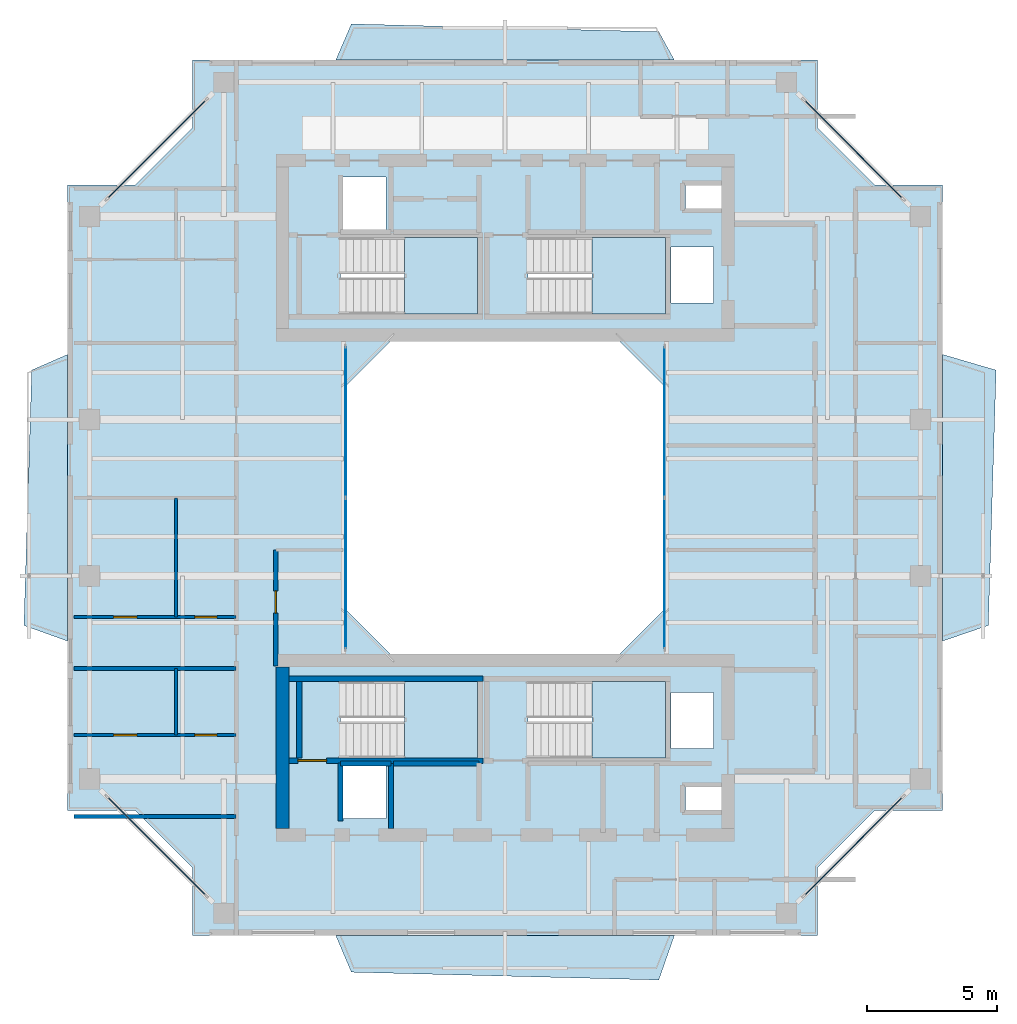
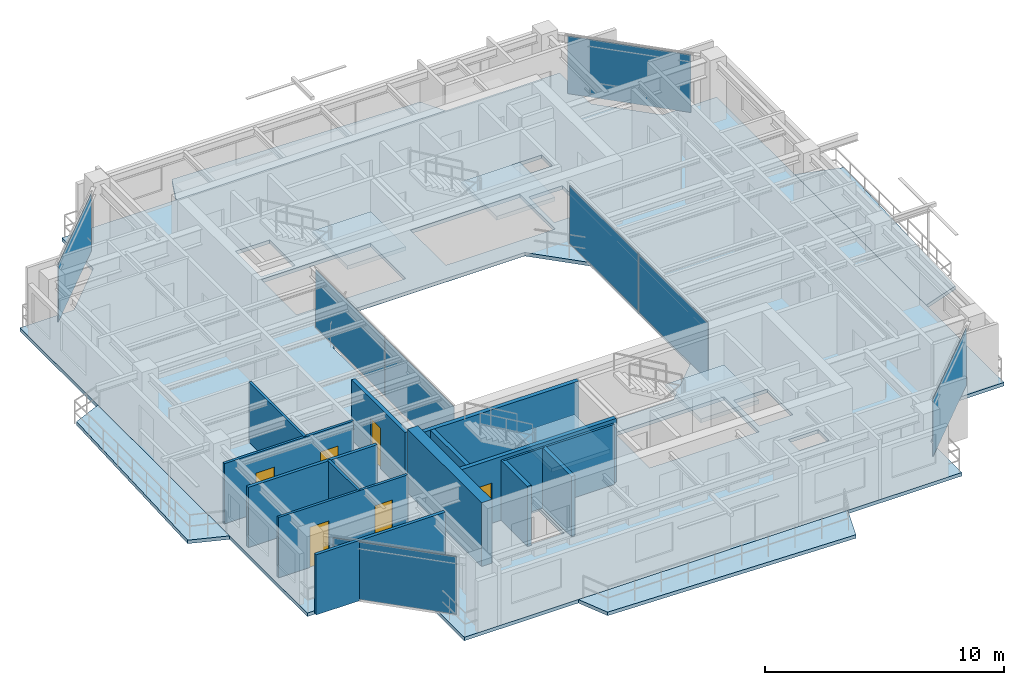
# One storey, part 9 of 16: 15 walls, 9 slabs, 8 plates, 6 doors, 6 openings, 10 elements without a shape of their own.
"""IFC4 building model written with IfcOpenShell, lengths in metres."""

from ifc_helpers import new_model, si_unit, direction, frame, frame_2d, origin, origin_2d, place, context, subcontext, project, spatial, polyline, rectangle, outline, extrude, source, transform, mapped, material, layer, layer_set, type_object, element, fill, aggregate, save


model = new_model("IFC4")

# Units and contexts
model_context = context("Model", 3, precision=1e-05, world=origin(), true_north=direction((0.0, 1.0)))
body_context = subcontext(model_context, "Body", "Model", "MODEL_VIEW")
ifc_project = project(units=[si_unit("LENGTHUNIT", "METRE"), si_unit("AREAUNIT", "SQUARE_METRE"), si_unit("VOLUMEUNIT", "CUBIC_METRE"), si_unit("PLANEANGLEUNIT", "RADIAN"), si_unit("MASSUNIT", "GRAM", prefix="KILO"), si_unit("THERMODYNAMICTEMPERATUREUNIT", "KELVIN"), si_unit("POWERUNIT", "WATT")], contexts=[model_context])

# Site, building, storey
site_placement = place(None, origin())
site = spatial("IfcSite", under=ifc_project, at=site_placement, CompositionType="ELEMENT")
building_placement = place(site_placement, origin())
building = spatial("IfcBuilding", under=site, at=building_placement, Name="Qiaomeng Ring Towers", CompositionType="ELEMENT")
storey_placement = place(building_placement, frame((0.0, 0.0, 210.0)))
storey = spatial("IfcBuildingStorey", under=building, at=storey_placement, Name="L61", CompositionType="ELEMENT", Elevation=210.0)

# Slabs
ifc_material_1 = material(Name="Concrete C40", Category="concrete")
ifc_layer_1 = layer(ifc_material_1, 0.179931640625, Name="Concrete C40")
ifc_layer_set_1 = layer_set([ifc_layer_1], Name="Concrete C40")
slab_type_1 = type_object("IfcSlabType", Name="STR-SL-180", PredefinedType="FLOOR", material=ifc_layer_set_1)
slab_1_placement = place(storey_placement, frame((0.0, 0.0, -0.179931640625)))
element("IfcSlab", 1, at=slab_1_placement, inside=storey, type_object=slab_type_1, Name="L61 Tower 1 Annular Floor Slab", PredefinedType="FLOOR", context=body_context, shape_type="SweptSolid", body=[
    extrude(outline(polyline([(7.0, 6.199951171875), (31.0, 6.199951171875), (31.0, 8.800048828125), (33.199951171875, 11.0), (35.800048828125, 11.0), (35.800048828125, 35.0), (33.199951171875, 35.0), (31.0, 37.199951171875), (31.0, 39.800048828125), (7.0, 39.800048828125), (7.0, 37.199951171875), (4.800048828125, 35.0), (2.199951171875, 35.0), (2.199951171875, 11.0), (4.800048828125, 11.0), (7.0, 8.800048828125), (7.0, 6.199951171875)]), holes=[polyline([(12.780029296875, 10.679931640625), (12.780029296875, 12.820068359375), (14.419921875, 12.820068359375), (14.419921875, 10.679931640625), (12.780029296875, 10.679931640625)]), polyline([(12.679931640625, 13.010009765625), (12.679931640625, 15.949951171875), (17.949951171875, 15.949951171875), (17.949951171875, 13.010009765625), (12.679931640625, 13.010009765625)]), polyline([(23.199951171875, 29.199951171875), (25.199951171875, 27.199951171875), (25.199951171875, 18.800048828125), (23.199951171875, 16.800048828125), (14.800048828125, 16.800048828125), (12.800048828125, 18.800048828125), (12.800048828125, 27.199951171875), (14.800048828125, 29.199951171875), (23.199951171875, 29.199951171875)]), polyline([(12.679931640625, 32.989990234375), (17.949951171875, 32.989990234375), (17.949951171875, 30.050048828125), (12.679931640625, 30.050048828125), (12.679931640625, 32.989990234375)]), polyline([(19.8798828125, 32.989990234375), (25.14990234375, 32.989990234375), (25.14990234375, 30.050048828125), (19.8798828125, 30.050048828125), (19.8798828125, 32.989990234375)]), polyline([(12.780029296875, 33.179931640625), (12.780029296875, 35.320068359375), (14.419921875, 35.320068359375), (14.419921875, 33.179931640625), (12.780029296875, 33.179931640625)]), polyline([(25.919921875, 11.89990234375), (27.360107421875, 11.89990234375), (27.360107421875, 11.0), (25.919921875, 11.0), (25.919921875, 11.89990234375)]), polyline([(25.360107421875, 15.52001953125), (27.0, 15.52001953125), (27.0, 13.3798828125), (25.360107421875, 13.3798828125), (25.360107421875, 15.52001953125)]), polyline([(19.8798828125, 13.010009765625), (19.8798828125, 15.949951171875), (25.14990234375, 15.949951171875), (25.14990234375, 13.010009765625), (19.8798828125, 13.010009765625)]), polyline([(25.360107421875, 32.6201171875), (27.0, 32.6201171875), (27.0, 30.47998046875), (25.360107421875, 30.47998046875), (25.360107421875, 32.6201171875)]), polyline([(25.919921875, 35.0), (27.360107421875, 35.0), (27.360107421875, 34.10009765625), (25.919921875, 34.10009765625), (25.919921875, 35.0)])]), origin(), (0.0, 0.0, 1.0), 0.179931640625),
])
ifc_layer_2 = layer(ifc_material_1, 0.179931640625, Name="Concrete C40")
ifc_layer_set_2 = layer_set([ifc_layer_2], Name="Concrete C40")
slab_type_2 = type_object("IfcSlabType", Name="STR-SL-BAL", PredefinedType="FLOOR", material=ifc_layer_set_2)
slab_2_placement = place(storey_placement, frame((0.0, 0.0, -0.179931640625)))
element("IfcSlab", 2, at=slab_2_placement, inside=storey, type_object=slab_type_2, Name="L61 Tower 1 S Faceted Balcony Slab", PredefinedType="FLOOR", context=body_context, shape_type="SweptSolid", body=[
    extrude(outline(polyline([(25.5, 6.199951171875), (24.89990234375, 4.489990234375), (13.10009765625, 4.7900390625), (12.5, 6.199951171875), (25.5, 6.199951171875)])), origin(), (0.0, 0.0, 1.0), 0.179931640625),
])
slab_3_placement = place(storey_placement, frame((0.0, 0.0, -0.179931640625)))
element("IfcSlab", 3, at=slab_3_placement, inside=storey, type_object=slab_type_2, Name="L61 Tower 1 E Faceted Balcony Slab", PredefinedType="FLOOR", context=body_context, shape_type="SweptSolid", body=[
    extrude(outline(polyline([(37.85009765625, 27.89990234375), (37.550048828125, 18.10009765625), (35.800048828125, 17.5), (35.800048828125, 28.5), (37.85009765625, 27.89990234375)])), origin(), (0.0, 0.0, 1.0), 0.179931640625),
])
slab_4_placement = place(storey_placement, frame((0.0, 0.0, -0.179931640625)))
element("IfcSlab", 4, at=slab_4_placement, inside=storey, type_object=slab_type_2, Name="L61 Tower 1 N Faceted Balcony Slab", PredefinedType="FLOOR", context=body_context, shape_type="SweptSolid", body=[
    extrude(outline(polyline([(12.5, 39.800048828125), (13.10009765625, 41.18994140625), (24.89990234375, 40.889892578125), (25.5, 39.800048828125), (12.5, 39.800048828125)])), origin(), (0.0, 0.0, 1.0), 0.179931640625),
])
slab_5_placement = place(storey_placement, frame((0.0, 0.0, -0.179931640625)))
element("IfcSlab", 5, at=slab_5_placement, inside=storey, type_object=slab_type_2, Name="L61 Tower 1 W Faceted Balcony Slab", PredefinedType="FLOOR", context=body_context, shape_type="SweptSolid", body=[
    extrude(outline(polyline([(0.530029296875, 18.10009765625), (0.830078125, 27.89990234375), (2.199951171875, 28.5), (2.199951171875, 17.5), (0.530029296875, 18.10009765625)])), origin(), (0.0, 0.0, 1.0), 0.179931640625),
])

# Stair, slab
ifc_material_2 = material(Name="Precast concrete C40", Category="concrete")
stair_type = type_object("IfcStairType", Name="ARC-ST-325", PredefinedType="HALF_TURN_STAIR", material=ifc_material_2)
stair_1_placement = place(storey_placement, origin())
stair_1 = element("IfcStair", 6, at=stair_1_placement, inside=storey, type_object=stair_type, Name="L61 Tower 1 North Stair 1", PredefinedType="HALF_TURN_STAIR")
ifc_layer_3 = layer(ifc_material_1, 0.199951171875, Name="Concrete C40")
ifc_layer_set_3 = layer_set([ifc_layer_3], Name="Concrete C40")
slab_type_3 = type_object("IfcSlabType", Name="STR-SL-LANDING", PredefinedType="LANDING", material=ifc_layer_set_3)
slab_6_placement = place(storey_placement, frame((0.0, 0.0, 1.425048828125)))
slab_6 = element("IfcSlab", 7, at=slab_6_placement, type_object=slab_type_3, Name="ST1 landing 1", PredefinedType="LANDING", context=body_context, shape_type="SweptSolid", body=[
    extrude(outline(polyline([(15.139892578125, 30.050048828125), (17.949951171875, 30.050048828125), (17.949951171875, 32.989990234375), (15.139892578125, 32.989990234375), (15.139892578125, 30.050048828125)])), origin(), (0.0, 0.0, 1.0), 0.199951171875),
])
aggregate(stair_1, [slab_6])

stair_2_placement = place(storey_placement, origin())
stair_2 = element("IfcStair", 8, at=stair_2_placement, inside=storey, type_object=stair_type, Name="L61 Tower 1 North Stair 2", PredefinedType="HALF_TURN_STAIR")
slab_7_placement = place(storey_placement, frame((0.0, 0.0, 1.425048828125)))
slab_7 = element("IfcSlab", 9, at=slab_7_placement, type_object=slab_type_3, Name="ST2 landing 1", PredefinedType="LANDING", context=body_context, shape_type="SweptSolid", body=[
    extrude(outline(polyline([(22.340087890625, 30.050048828125), (25.14990234375, 30.050048828125), (25.14990234375, 32.989990234375), (22.340087890625, 32.989990234375), (22.340087890625, 30.050048828125)])), origin(), (0.0, 0.0, 1.0), 0.199951171875),
])
aggregate(stair_2, [slab_7])

stair_3_placement = place(storey_placement, origin())
stair_3 = element("IfcStair", 10, at=stair_3_placement, inside=storey, type_object=stair_type, Name="L61 Tower 1 South Stair 3", PredefinedType="HALF_TURN_STAIR")
slab_8_placement = place(storey_placement, frame((0.0, 0.0, 1.425048828125)))
slab_8 = element("IfcSlab", 11, at=slab_8_placement, type_object=slab_type_3, Name="ST3 landing 1", PredefinedType="LANDING", context=body_context, shape_type="SweptSolid", body=[
    extrude(outline(polyline([(15.139892578125, 13.010009765625), (17.949951171875, 13.010009765625), (17.949951171875, 15.949951171875), (15.139892578125, 15.949951171875), (15.139892578125, 13.010009765625)])), origin(), (0.0, 0.0, 1.0), 0.199951171875),
])
aggregate(stair_3, [slab_8])

stair_4_placement = place(storey_placement, origin())
stair_4 = element("IfcStair", 12, at=stair_4_placement, inside=storey, type_object=stair_type, Name="L61 Tower 1 South Stair 4", PredefinedType="HALF_TURN_STAIR")
slab_9_placement = place(storey_placement, frame((0.0, 0.0, 1.425048828125)))
slab_9 = element("IfcSlab", 13, at=slab_9_placement, type_object=slab_type_3, Name="ST4 landing 1", PredefinedType="LANDING", context=body_context, shape_type="SweptSolid", body=[
    extrude(outline(polyline([(22.340087890625, 13.010009765625), (25.14990234375, 13.010009765625), (25.14990234375, 15.949951171875), (22.340087890625, 15.949951171875), (22.340087890625, 13.010009765625)])), origin(), (0.0, 0.0, 1.0), 0.199951171875),
])
aggregate(stair_4, [slab_9])

# Curtain wall, plates
ifc_material_3 = material(Name="Fluorocarbon dark-grey aluminium", Category="aluminium")
ifc_layer_4 = layer(ifc_material_3, 0.139892578125, Name="Fluorocarbon dark-grey aluminium")
ifc_layer_set_4 = layer_set([ifc_layer_4], Name="Fluorocarbon dark-grey aluminium")
curtain_wall_type_1 = type_object("IfcCurtainWallType", Name="ARC-CW-4", PredefinedType="NOTDEFINED", material=ifc_layer_set_4)
curtain_wall_1_placement = place(storey_placement, origin())
curtain_wall_1 = element("IfcCurtainWall", 14, at=curtain_wall_1_placement, inside=storey, type_object=curtain_wall_type_1, Name="L61 Curtain Wall CW4", PredefinedType="NOTDEFINED")
ifc_material_4 = material(Name="Low-E dark-grey laminated double glazing", Category="glass")
ifc_layer_5 = layer(ifc_material_4, 0.028076171875, Name="Low-E dark-grey laminated double glazing")
ifc_layer_set_5 = layer_set([ifc_layer_5], Name="Low-E dark-grey laminated double glazing")
plate_type = type_object("IfcPlateType", Name="ARC-CWP-DARK", PredefinedType="CURTAIN_PANEL", material=ifc_layer_set_5)
shared_shape_1 = source(origin(), body_context, "Body", "SweptSolid", [
    extrude(rectangle(XDim=5.75244140625, YDim=0.028076171875, at=origin_2d()), origin(), (0.0, 0.0, 1.0), 2.93994140625),
])
plate_1_placement = place(storey_placement, frame((12.8798828125, 20.09130859375, 0.06494140625), z_axis=(0.0, 0.0, 1.0), x_axis=(0.0, 1.0, 0.0)))
plate_1 = element("IfcPlate", 15, at=plate_1_placement, type_object=plate_type, Name="CW4 panel 1.1", PredefinedType="CURTAIN_PANEL", context=body_context, shape_type="MappedRepresentation", body=[
    mapped(shared_shape_1, transform((0.0, 0.0, 0.0), x_axis=(1.0, 0.0, 0.0), y_axis=(0.0, 1.0, 0.0), z_axis=(0.0, 0.0, 1.0), scale=1.0)),
])
plate_2_placement = place(storey_placement, frame((12.8798828125, 25.90869140625, 0.06494140625), z_axis=(0.0, 0.0, 1.0), x_axis=(0.0, 1.0, 0.0)))
plate_2 = element("IfcPlate", 16, at=plate_2_placement, type_object=plate_type, Name="CW4 panel 2.1", PredefinedType="CURTAIN_PANEL", context=body_context, shape_type="MappedRepresentation", body=[
    mapped(shared_shape_1, transform((0.0, 0.0, 0.0), x_axis=(1.0, 0.0, 0.0), y_axis=(0.0, 1.0, 0.0), z_axis=(0.0, 0.0, 1.0), scale=1.0)),
])
aggregate(curtain_wall_1, [plate_1, plate_2])

curtain_wall_2_placement = place(storey_placement, origin())
curtain_wall_2 = element("IfcCurtainWall", 17, at=curtain_wall_2_placement, inside=storey, type_object=curtain_wall_type_1, Name="L61 Curtain Wall CW4", PredefinedType="NOTDEFINED")
plate_3_placement = place(storey_placement, frame((25.1201171875, 20.09130859375, 0.06494140625), z_axis=(0.0, 0.0, 1.0), x_axis=(0.0, 1.0, 0.0)))
plate_3 = element("IfcPlate", 18, at=plate_3_placement, type_object=plate_type, Name="CW4 panel 1.1", PredefinedType="CURTAIN_PANEL", context=body_context, shape_type="MappedRepresentation", body=[
    mapped(shared_shape_1, transform((0.0, 0.0, 0.0), x_axis=(1.0, 0.0, 0.0), y_axis=(0.0, 1.0, 0.0), z_axis=(0.0, 0.0, 1.0), scale=1.0)),
])
plate_4_placement = place(storey_placement, frame((25.1201171875, 25.90869140625, 0.06494140625), z_axis=(0.0, 0.0, 1.0), x_axis=(0.0, 1.0, 0.0)))
plate_4 = element("IfcPlate", 19, at=plate_4_placement, type_object=plate_type, Name="CW4 panel 2.1", PredefinedType="CURTAIN_PANEL", context=body_context, shape_type="MappedRepresentation", body=[
    mapped(shared_shape_1, transform((0.0, 0.0, 0.0), x_axis=(1.0, 0.0, 0.0), y_axis=(0.0, 1.0, 0.0), z_axis=(0.0, 0.0, 1.0), scale=1.0)),
])
aggregate(curtain_wall_2, [plate_3, plate_4])

# Curtain wall, plate
ifc_layer_6 = layer(ifc_material_3, 0.14990234375, Name="Fluorocarbon dark-grey aluminium")
ifc_layer_set_6 = layer_set([ifc_layer_6], Name="Fluorocarbon dark-grey aluminium")
curtain_wall_type_2 = type_object("IfcCurtainWallType", Name="ARC-CW-3", PredefinedType="NOTDEFINED", material=ifc_layer_set_6)
curtain_wall_3_placement = place(storey_placement, origin())
curtain_wall_3 = element("IfcCurtainWall", 20, at=curtain_wall_3_placement, inside=storey, type_object=curtain_wall_type_2, Name="L61 Curtain Wall CW3", PredefinedType="NOTDEFINED")
shared_shape_2 = source(origin(), body_context, "Body", "SweptSolid", [
    extrude(rectangle(XDim=5.3330078125, YDim=0.028076171875, at=origin_2d()), origin(), (0.0, 0.0, 1.0), 2.93994140625),
])
plate_5_placement = place(storey_placement, frame((32.375, 9.625, 0.06494140625), z_axis=(0.0, 0.0, 1.0), x_axis=(0.707106781187, 0.707106781187, 0.0)))
plate_5 = element("IfcPlate", 21, at=plate_5_placement, type_object=plate_type, Name="CW3 panel 1.1", PredefinedType="CURTAIN_PANEL", context=body_context, shape_type="MappedRepresentation", body=[
    mapped(shared_shape_2, transform((0.0, 0.0, 0.0), x_axis=(1.0, 0.0, 0.0), y_axis=(0.0, 1.0, 0.0), z_axis=(0.0, 0.0, 1.0), scale=1.0)),
])
aggregate(curtain_wall_3, [plate_5])

curtain_wall_4_placement = place(storey_placement, origin())
curtain_wall_4 = element("IfcCurtainWall", 22, at=curtain_wall_4_placement, inside=storey, type_object=curtain_wall_type_2, Name="L61 Curtain Wall CW3", PredefinedType="NOTDEFINED")
plate_6_placement = place(storey_placement, frame((32.375, 36.375, 0.06494140625), z_axis=(0.0, 0.0, 1.0), x_axis=(-0.707106781187, 0.707106781187, 0.0)))
plate_6 = element("IfcPlate", 23, at=plate_6_placement, type_object=plate_type, Name="CW3 panel 1.1", PredefinedType="CURTAIN_PANEL", context=body_context, shape_type="MappedRepresentation", body=[
    mapped(shared_shape_2, transform((0.0, 0.0, 0.0), x_axis=(1.0, 0.0, 0.0), y_axis=(0.0, 1.0, 0.0), z_axis=(0.0, 0.0, 1.0), scale=1.0)),
])
aggregate(curtain_wall_4, [plate_6])

curtain_wall_5_placement = place(storey_placement, origin())
curtain_wall_5 = element("IfcCurtainWall", 24, at=curtain_wall_5_placement, inside=storey, type_object=curtain_wall_type_2, Name="L61 Curtain Wall CW3", PredefinedType="NOTDEFINED")
plate_7_placement = place(storey_placement, frame((5.625, 36.375, 0.06494140625), z_axis=(0.0, 0.0, 1.0), x_axis=(-0.707106781187, -0.707106781187, 0.0)))
plate_7 = element("IfcPlate", 25, at=plate_7_placement, type_object=plate_type, Name="CW3 panel 1.1", PredefinedType="CURTAIN_PANEL", context=body_context, shape_type="MappedRepresentation", body=[
    mapped(shared_shape_2, transform((0.0, 0.0, 0.0), x_axis=(1.0, 0.0, 0.0), y_axis=(0.0, 1.0, 0.0), z_axis=(0.0, 0.0, 1.0), scale=1.0)),
])
aggregate(curtain_wall_5, [plate_7])

curtain_wall_6_placement = place(storey_placement, origin())
curtain_wall_6 = element("IfcCurtainWall", 26, at=curtain_wall_6_placement, inside=storey, type_object=curtain_wall_type_2, Name="L61 Curtain Wall CW3", PredefinedType="NOTDEFINED")
plate_8_placement = place(storey_placement, frame((5.625, 9.625, 0.06494140625), z_axis=(0.0, 0.0, 1.0), x_axis=(0.707106781187, -0.707106781187, 0.0)))
plate_8 = element("IfcPlate", 27, at=plate_8_placement, type_object=plate_type, Name="CW3 panel 1.1", PredefinedType="CURTAIN_PANEL", context=body_context, shape_type="MappedRepresentation", body=[
    mapped(shared_shape_2, transform((0.0, 0.0, 0.0), x_axis=(1.0, 0.0, 0.0), y_axis=(0.0, 1.0, 0.0), z_axis=(0.0, 0.0, 1.0), scale=1.0)),
])
aggregate(curtain_wall_6, [plate_8])

# Walls
ifc_material_5 = material(Name="Autoclaved aerated concrete block", Category="concrete")
ifc_layer_7 = layer(ifc_material_5, 0.199951171875, Name="Autoclaved aerated concrete block")
ifc_layer_set_7 = layer_set([ifc_layer_7], Name="Autoclaved aerated concrete block")
wall_type_1 = type_object("IfcWallType", Name="ARC-WL-PW1", PredefinedType="PARTITIONING", material=ifc_layer_set_7)
wall_1_placement = place(storey_placement, frame((12.679931640625, 10.60009765625, 0.0), z_axis=(0.0, 0.0, 1.0), x_axis=(0.0, 1.0, 0.0)))
element("IfcWall", 28, at=wall_1_placement, inside=storey, type_object=wall_type_1, Name="L61 Interior Wall PW1", PredefinedType="PARTITIONING", context=body_context, shape_type="SweptSolid", body=[
    extrude(rectangle(XDim=2.2099609375, YDim=0.199951171875, at=frame_2d((1.10498046875, 0.0))), origin(), (0.0, 0.0, 1.0), 3.070068359375),
])
wall_2_placement = place(storey_placement, frame((14.719970703125, 12.800048828125, 0.0), z_axis=(0.0, 0.0, 1.0), x_axis=(1.0, 0.0, 0.0)))
element("IfcWall", 29, at=wall_2_placement, inside=storey, type_object=wall_type_1, Name="L61 Interior Wall PW1", PredefinedType="PARTITIONING", context=body_context, shape_type="SweptSolid", body=[
    extrude(rectangle(XDim=3.280029296875, YDim=0.199951171875, at=frame_2d((1.64013671875, 0.0))), origin(), (0.0, 0.0, 1.0), 3.070068359375),
])

# Wall, opening, door
ifc_layer_8 = layer(ifc_material_5, 0.179931640625, Name="Autoclaved aerated concrete block")
ifc_layer_set_8 = layer_set([ifc_layer_8], Name="Autoclaved aerated concrete block")
wall_type_2 = type_object("IfcWallType", Name="ARC-WL-PW2", PredefinedType="PARTITIONING", material=ifc_layer_set_8)
wall_3_placement = place(storey_placement, frame((10.199951171875, 16.550048828125, 0.0), z_axis=(0.0, 0.0, 1.0), x_axis=(0.0, 1.0, 0.0)))
wall_3 = element("IfcWall", 30, at=wall_3_placement, inside=storey, type_object=wall_type_2, Name="L61 Interior Wall PW2", PredefinedType="PARTITIONING", context=body_context, shape_type="SweptSolid", body=[
    extrude(rectangle(XDim=4.449951171875, YDim=0.179931640625, at=frame_2d((2.22509765625, 0.0))), origin(), (0.0, 0.0, 1.0), 3.070068359375),
])
opening_1_placement = place(wall_3_placement, frame((2.02490234375, 0.0, 0.0)))
opening_1 = element("IfcOpeningElement", 31, at=opening_1_placement, cuts=wall_3, Name="Opening ID2", PredefinedType="OPENING", context=body_context, shape_type="SweptSolid", body=[
    extrude(rectangle(XDim=0.85009765625, YDim=2.050048828125, at=frame_2d((0.425048828125, 1.02490234375))), frame((0.0, 0.099853515625, 0.0), z_axis=(0.0, -1.0, 0.0), x_axis=(1.0, 0.0, 0.0)), (0.0, 0.0, 1.0), 0.199951171875),
])
ifc_material_6 = material(Name="Moisture-resistant engineered timber", Category="wood")
door_type_1 = type_object("IfcDoorType", Name="ARC-DR-ID2", OperationType="NOTDEFINED", PredefinedType="DOOR", material=ifc_material_6)
shared_shape_3 = source(origin(), body_context, "Body", "SweptSolid", [
    extrude(rectangle(XDim=0.85009765625, YDim=2.050048828125, at=frame_2d((0.425048828125, 1.02490234375))), frame((0.0, 0.02490234375, 0.0), z_axis=(0.0, -1.0, 0.0), x_axis=(1.0, 0.0, 0.0)), (0.0, 0.0, 1.0), 0.050048828125),
])
door_1_placement = place(opening_1_placement, origin())
door_1 = element("IfcDoor", 32, at=door_1_placement, inside=storey, type_object=door_type_1, Name="L61 Door ID2", OperationType="SINGLE_SWING_LEFT", OverallHeight=2.050048828125, OverallWidth=0.85009765625, PredefinedType="DOOR", context=body_context, shape_type="MappedRepresentation", body=[
    mapped(shared_shape_3, transform((0.0, 0.0, 0.0), x_axis=(1.0, 0.0, 0.0), y_axis=(0.0, 1.0, 0.0), z_axis=(0.0, 0.0, 1.0), scale=1.0)),
])
fill(opening_1, door_1)

# Walls
ifc_material_7 = material(Name="Gypsum fireboard steel-stud partition", Category="steel")
ifc_layer_9 = layer(ifc_material_7, 0.14990234375, Name="Gypsum fireboard steel-stud partition")
ifc_layer_set_9 = layer_set([ifc_layer_9], Name="Gypsum fireboard steel-stud partition")
wall_type_3 = type_object("IfcWallType", Name="ARC-WL-PW3", PredefinedType="PARTITIONING", material=ifc_layer_set_9)
for number, where, z_axis, x_axis, name in (
    (33, (2.449951171875, 10.77001953125, 0.0), (0.0, 0.0, 1.0), (1.0, 0.0, 0.0), "L61 Interior Wall PW3"),
    (34, (2.449951171875, 16.43994140625, 0.0), (0.0, 0.0, 1.0), (1.0, 0.0, 0.0), "L61 Interior Wall PW3"),
):
    element("IfcWall", number, at=place(storey_placement, frame(where, z_axis=z_axis, x_axis=x_axis)), inside=storey, type_object=wall_type_3, Name=name, PredefinedType="PARTITIONING", context=body_context, shape_type="SweptSolid", body=[
        extrude(rectangle(XDim=6.22998046875, YDim=0.14990234375, at=frame_2d((3.114990234375, 0.0))), origin(), (0.0, 0.0, 1.0), 3.070068359375),
    ])

# Wall, openings, doors
ifc_material_8 = material(Name="Moisture-resistant gypsum steel-stud partition", Category="steel")
ifc_layer_10 = layer(ifc_material_8, 0.1201171875, Name="Moisture-resistant gypsum steel-stud partition")
ifc_layer_set_10 = layer_set([ifc_layer_10], Name="Moisture-resistant gypsum steel-stud partition")
wall_type_4 = type_object("IfcWallType", Name="ARC-WL-PW4", PredefinedType="PLUMBINGWALL", material=ifc_layer_set_10)
wall_4_placement = place(storey_placement, frame((2.449951171875, 13.889892578125, 0.0), z_axis=(0.0, 0.0, 1.0), x_axis=(1.0, 0.0, 0.0)))
wall_4 = element("IfcWall", 35, at=wall_4_placement, inside=storey, type_object=wall_type_4, Name="L61 Interior Wall PW4", PredefinedType="PLUMBINGWALL", context=body_context, shape_type="SweptSolid", body=[
    extrude(rectangle(XDim=6.22998046875, YDim=0.1201171875, at=frame_2d((3.114990234375, 0.0))), origin(), (0.0, 0.0, 1.0), 3.070068359375),
])
opening_2_placement = place(wall_4_placement, frame((1.52001953125, 0.0, 0.0)))
opening_2 = element("IfcOpeningElement", 36, at=opening_2_placement, cuts=wall_4, Name="Opening ID1", PredefinedType="OPENING", context=body_context, shape_type="SweptSolid", body=[
    extrude(rectangle(XDim=0.89990234375, YDim=2.050048828125, at=frame_2d((0.449951171875, 1.02490234375))), frame((0.0, 0.070068359375, 0.0), z_axis=(0.0, -1.0, 0.0), x_axis=(1.0, 0.0, 0.0)), (0.0, 0.0, 1.0), 0.14013671875),
])
opening_3_placement = place(wall_4_placement, frame((4.639892578125, 0.0, 0.0)))
opening_3 = element("IfcOpeningElement", 37, at=opening_3_placement, cuts=wall_4, Name="Opening ID2", PredefinedType="OPENING", context=body_context, shape_type="SweptSolid", body=[
    extrude(rectangle(XDim=0.85009765625, YDim=2.050048828125, at=frame_2d((0.425048828125, 1.02490234375))), frame((0.0, 0.070068359375, 0.0), z_axis=(0.0, -1.0, 0.0), x_axis=(1.0, 0.0, 0.0)), (0.0, 0.0, 1.0), 0.14013671875),
])
door_2_placement = place(opening_3_placement, origin())
door_2 = element("IfcDoor", 38, at=door_2_placement, inside=storey, type_object=door_type_1, Name="L61 Door ID2", OperationType="SINGLE_SWING_RIGHT", OverallHeight=2.050048828125, OverallWidth=0.85009765625, PredefinedType="DOOR", context=body_context, shape_type="MappedRepresentation", body=[
    mapped(shared_shape_3, transform((0.0, 0.0, 0.0), x_axis=(1.0, 0.0, 0.0), y_axis=(0.0, 1.0, 0.0), z_axis=(0.0, 0.0, 1.0), scale=1.0)),
])
fill(opening_3, door_2)
ifc_material_9 = material(Name="Engineered oak timber", Category="wood")
door_type_2 = type_object("IfcDoorType", Name="ARC-DR-ID1", OperationType="NOTDEFINED", PredefinedType="DOOR", material=ifc_material_9)
shared_shape_4 = source(origin(), body_context, "Body", "SweptSolid", [
    extrude(rectangle(XDim=0.89990234375, YDim=2.050048828125, at=frame_2d((0.449951171875, 1.02490234375))), frame((0.0, 0.02490234375, 0.0), z_axis=(0.0, -1.0, 0.0), x_axis=(1.0, 0.0, 0.0)), (0.0, 0.0, 1.0), 0.050048828125),
])
door_3_placement = place(opening_2_placement, origin())
door_3 = element("IfcDoor", 39, at=door_3_placement, inside=storey, type_object=door_type_2, Name="L61 Door ID1", OperationType="SINGLE_SWING_LEFT", OverallHeight=2.050048828125, OverallWidth=0.89990234375, PredefinedType="DOOR", context=body_context, shape_type="MappedRepresentation", body=[
    mapped(shared_shape_4, transform((0.0, 0.0, 0.0), x_axis=(1.0, 0.0, 0.0), y_axis=(0.0, 1.0, 0.0), z_axis=(0.0, 0.0, 1.0), scale=1.0)),
])
fill(opening_2, door_3)

# Wall
wall_5_placement = place(storey_placement, frame((6.3701171875, 13.889892578125, 0.0), z_axis=(0.0, 0.0, 1.0), x_axis=(0.0, 1.0, 0.0)))
element("IfcWall", 40, at=wall_5_placement, inside=storey, type_object=wall_type_4, Name="L61 Interior Wall PW4", PredefinedType="PLUMBINGWALL", context=body_context, shape_type="SweptSolid", body=[
    extrude(rectangle(XDim=2.550048828125, YDim=0.1201171875, at=frame_2d((1.27490234375, 0.0))), origin(), (0.0, 0.0, 1.0), 3.070068359375),
])

# Wall, openings, doors
wall_6_placement = place(storey_placement, frame((2.449951171875, 18.419921875, 0.0), z_axis=(0.0, 0.0, 1.0), x_axis=(1.0, 0.0, 0.0)))
wall_6 = element("IfcWall", 41, at=wall_6_placement, inside=storey, type_object=wall_type_4, Name="L61 Interior Wall PW4", PredefinedType="PLUMBINGWALL", context=body_context, shape_type="SweptSolid", body=[
    extrude(rectangle(XDim=6.22998046875, YDim=0.1201171875, at=frame_2d((3.114990234375, 0.0))), origin(), (0.0, 0.0, 1.0), 3.070068359375),
])
opening_4_placement = place(wall_6_placement, frame((1.52001953125, 0.0, 0.0)))
opening_4 = element("IfcOpeningElement", 42, at=opening_4_placement, cuts=wall_6, Name="Opening ID1", PredefinedType="OPENING", context=body_context, shape_type="SweptSolid", body=[
    extrude(rectangle(XDim=0.89990234375, YDim=2.050048828125, at=frame_2d((0.449951171875, 1.02490234375))), frame((0.0, 0.070068359375, 0.0), z_axis=(0.0, -1.0, 0.0), x_axis=(1.0, 0.0, 0.0)), (0.0, 0.0, 1.0), 0.14013671875),
])
opening_5_placement = place(wall_6_placement, frame((4.639892578125, 0.0, 0.0)))
opening_5 = element("IfcOpeningElement", 43, at=opening_5_placement, cuts=wall_6, Name="Opening ID2", PredefinedType="OPENING", context=body_context, shape_type="SweptSolid", body=[
    extrude(rectangle(XDim=0.85009765625, YDim=2.050048828125, at=frame_2d((0.425048828125, 1.02490234375))), frame((0.0, 0.070068359375, 0.0), z_axis=(0.0, -1.0, 0.0), x_axis=(1.0, 0.0, 0.0)), (0.0, 0.0, 1.0), 0.14013671875),
])
door_4_placement = place(opening_5_placement, origin())
door_4 = element("IfcDoor", 44, at=door_4_placement, inside=storey, type_object=door_type_1, Name="L61 Door ID2", OperationType="SINGLE_SWING_LEFT", OverallHeight=2.050048828125, OverallWidth=0.85009765625, PredefinedType="DOOR", context=body_context, shape_type="MappedRepresentation", body=[
    mapped(shared_shape_3, transform((0.0, 0.0, 0.0), x_axis=(1.0, 0.0, 0.0), y_axis=(0.0, 1.0, 0.0), z_axis=(0.0, 0.0, 1.0), scale=1.0)),
])
fill(opening_5, door_4)
door_5_placement = place(opening_4_placement, origin())
door_5 = element("IfcDoor", 45, at=door_5_placement, inside=storey, type_object=door_type_2, Name="L61 Door ID1", OperationType="SINGLE_SWING_RIGHT", OverallHeight=2.050048828125, OverallWidth=0.89990234375, PredefinedType="DOOR", context=body_context, shape_type="MappedRepresentation", body=[
    mapped(shared_shape_4, transform((0.0, 0.0, 0.0), x_axis=(1.0, 0.0, 0.0), y_axis=(0.0, 1.0, 0.0), z_axis=(0.0, 0.0, 1.0), scale=1.0)),
])
fill(opening_4, door_5)

# Walls
wall_7_placement = place(storey_placement, frame((6.3701171875, 18.419921875, 0.0), z_axis=(0.0, 0.0, 1.0), x_axis=(0.0, 1.0, 0.0)))
element("IfcWall", 46, at=wall_7_placement, inside=storey, type_object=wall_type_4, Name="L61 Interior Wall PW4", PredefinedType="PLUMBINGWALL", context=body_context, shape_type="SweptSolid", body=[
    extrude(rectangle(XDim=4.580078125, YDim=0.1201171875, at=frame_2d((2.2900390625, 0.0))), origin(), (0.0, 0.0, 1.0), 3.070068359375),
])
ifc_layer_11 = layer(ifc_material_1, 0.199951171875, Name="Concrete C40")
ifc_layer_set_11 = layer_set([ifc_layer_11], Name="Concrete C40")
wall_type_5 = type_object("IfcWallType", Name="STR-WL-STSHAFT", PredefinedType="SHEAR", material=ifc_layer_set_11)
wall_8_placement = place(storey_placement, frame((12.679931640625, 12.800048828125, 0.0), z_axis=(0.0, 0.0, 1.0), x_axis=(1.0, 0.0, 0.0)))
element("IfcWall", 47, at=wall_8_placement, inside=storey, type_object=wall_type_5, Name="L61 Lift LP6 Shaft Back Wall", PredefinedType="SHEAR", context=body_context, shape_type="SweptSolid", body=[
    extrude(rectangle(XDim=1.940185546875, YDim=0.179931640625, at=frame_2d((0.97021484375, 0.0))), origin(), (0.0, 0.0, 1.0), 3.070068359375),
])
wall_9_placement = place(storey_placement, frame((14.6201171875, 10.300048828125, 0.0), z_axis=(0.0, 0.0, 1.0), x_axis=(0.0, 1.0, 0.0)))
element("IfcWall", 48, at=wall_9_placement, inside=storey, type_object=wall_type_5, Name="L61 Lift LP6-LP4 Shaft Divider Wall", PredefinedType="SHEAR", context=body_context, shape_type="SweptSolid", body=[
    extrude(rectangle(XDim=2.5, YDim=0.179931640625, at=frame_2d((1.25, 0.0))), origin(), (0.0, 0.0, 1.0), 3.070068359375),
])

# Wall, opening, door
wall_10_placement = place(storey_placement, frame((10.699951171875, 12.909912109375, 0.0), z_axis=(0.0, 0.0, 1.0), x_axis=(1.0, 0.0, 0.0)))
wall_10 = element("IfcWall", 49, at=wall_10_placement, inside=storey, type_object=wall_type_5, Name="L61 Stair ST3 South Shaft Shear Wall", PredefinedType="SHEAR", context=body_context, shape_type="SweptSolid", body=[
    extrude(rectangle(XDim=7.449951171875, YDim=0.199951171875, at=frame_2d((3.72509765625, 0.0))), origin(), (0.0, 0.0, 1.0), 3.25),
])
opening_6_placement = place(wall_10_placement, frame((0.35009765625, 0.0, 0.0)))
opening_6 = element("IfcOpeningElement", 50, at=opening_6_placement, cuts=wall_10, Name="Opening FD3", PredefinedType="OPENING", context=body_context, shape_type="SweptSolid", body=[
    extrude(rectangle(XDim=1.10009765625, YDim=2.050048828125, at=frame_2d((0.550048828125, 1.02490234375))), frame((0.0, 0.10986328125, 0.0), z_axis=(0.0, -1.0, 0.0), x_axis=(1.0, 0.0, 0.0)), (0.0, 0.0, 1.0), 0.219970703125),
])
ifc_material_10 = material(Name="Galvanised steel", Category="steel")
door_type_3 = type_object("IfcDoorType", Name="ARC-DR-FD3", OperationType="NOTDEFINED", PredefinedType="DOOR", material=ifc_material_10)
shared_shape_5 = source(origin(), body_context, "Body", "SweptSolid", [
    extrude(rectangle(XDim=1.10009765625, YDim=2.050048828125, at=frame_2d((0.550048828125, 1.02490234375))), frame((0.0, 0.02490234375, 0.0), z_axis=(0.0, -1.0, 0.0), x_axis=(1.0, 0.0, 0.0)), (0.0, 0.0, 1.0), 0.050048828125),
])
door_6_placement = place(opening_6_placement, frame((1.10009765625, 0.0, 0.0), z_axis=(0.0, 0.0, 1.0), x_axis=(-1.0, 0.0, 0.0)))
door_6 = element("IfcDoor", 51, at=door_6_placement, inside=storey, type_object=door_type_3, Name="L61 Stair ST3 Exit Door", OperationType="SINGLE_SWING_LEFT", OverallHeight=2.050048828125, OverallWidth=1.10009765625, PredefinedType="DOOR", context=body_context, shape_type="MappedRepresentation", body=[
    mapped(shared_shape_5, transform((0.0, 0.0, 0.0), x_axis=(1.0, 0.0, 0.0), y_axis=(0.0, 1.0, 0.0), z_axis=(0.0, 0.0, 1.0), scale=1.0)),
])
fill(opening_6, door_6)

# Walls
wall_11_placement = place(storey_placement, frame((10.699951171875, 16.050048828125, 0.0), z_axis=(0.0, 0.0, 1.0), x_axis=(1.0, 0.0, 0.0)))
element("IfcWall", 52, at=wall_11_placement, inside=storey, type_object=wall_type_5, Name="L61 Stair ST3 North Shaft Shear Wall", PredefinedType="SHEAR", context=body_context, shape_type="SweptSolid", body=[
    extrude(rectangle(XDim=7.449951171875, YDim=0.199951171875, at=frame_2d((3.72509765625, 0.0))), origin(), (0.0, 0.0, 1.0), 3.25),
])
wall_12_placement = place(storey_placement, frame((11.10009765625, 13.010009765625, 0.0), z_axis=(0.0, 0.0, 1.0), x_axis=(0.0, 1.0, 0.0)))
element("IfcWall", 53, at=wall_12_placement, inside=storey, type_object=wall_type_5, Name="L61 Stair ST3 West Shaft Shear Wall", PredefinedType="SHEAR", context=body_context, shape_type="SweptSolid", body=[
    extrude(rectangle(XDim=2.93994140625, YDim=0.199951171875, at=frame_2d((1.469970703125, 0.0))), origin(), (0.0, 0.0, 1.0), 3.25),
])
ifc_layer_12 = layer(ifc_material_1, 0.5, Name="Concrete C40")
ifc_layer_set_12 = layer_set([ifc_layer_12], Name="Concrete C40")
wall_type_6 = type_object("IfcWallType", Name="STR-WL-SW3", PredefinedType="SHEAR", material=ifc_layer_set_12)
wall_13_placement = place(storey_placement, frame((10.449951171875, 10.300048828125, 0.0), z_axis=(0.0, 0.0, 1.0), x_axis=(0.0, 1.0, 0.0)))
element("IfcWall", 54, at=wall_13_placement, inside=storey, type_object=wall_type_6, Name="L61 T1SC west core shear wall", PredefinedType="SHEAR", context=body_context, shape_type="SweptSolid", body=[
    extrude(rectangle(XDim=6.199951171875, YDim=0.5, at=frame_2d((3.10009765625, 0.0))), origin(), (0.0, 0.0, 1.0), 3.25),
])

save(model, "model.ifc")
